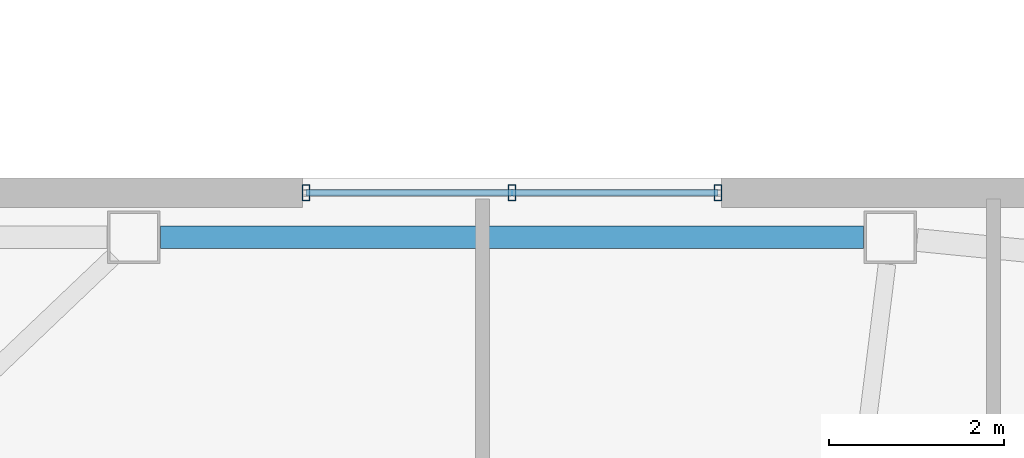
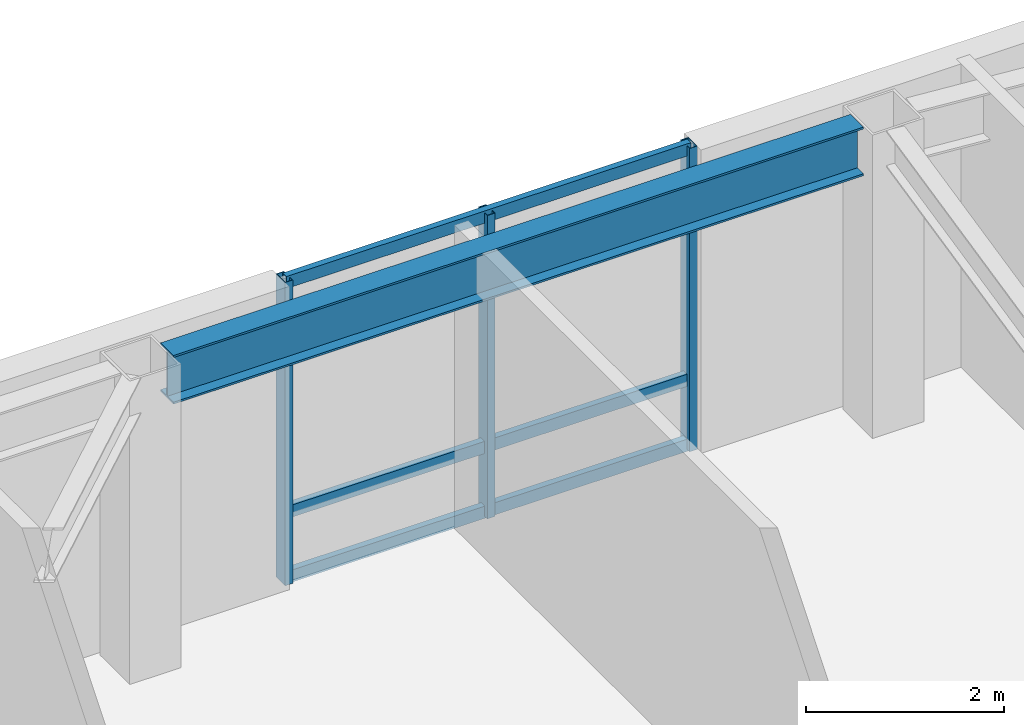
# One storey, part 6 of 19: 6 members, 1 beam, 1 element without a shape of its own.
"""IFC4 building model written with IfcOpenShell, lengths in metres."""

from ifc_helpers import new_model, si_unit, direction, frame, origin, origin_2d, place, context, subcontext, project, spatial, hollow_rectangle, i_section, extrude, material, layer, layer_set, material_profile, profile_set, type_object, element, aggregate, save


model = new_model("IFC4")

# Units and contexts
model_context = context("Model", 3, precision=1e-05, world=origin(), true_north=direction((0.0, 1.0)))
body_context = subcontext(model_context, "Body", "Model", "MODEL_VIEW")
ifc_project = project(units=[si_unit("LENGTHUNIT", "METRE"), si_unit("AREAUNIT", "SQUARE_METRE"), si_unit("VOLUMEUNIT", "CUBIC_METRE"), si_unit("PLANEANGLEUNIT", "RADIAN"), si_unit("MASSUNIT", "GRAM", prefix="KILO")], contexts=[model_context])

# Site, building, storey
site_placement = place(None, origin())
site = spatial("IfcSite", under=ifc_project, at=site_placement, CompositionType="ELEMENT")
building_placement = place(site_placement, origin())
building = spatial("IfcBuilding", under=site, at=building_placement, Name="Tavrogorsk Clinical Tower", CompositionType="ELEMENT")
storey_placement = place(building_placement, frame((0.0, 0.0, 188.199951171875)))
storey = spatial("IfcBuildingStorey", under=building, at=storey_placement, Name="L43", CompositionType="ELEMENT", Elevation=188.199951171875)

# Curtain wall, members
ifc_material_1 = material(Name="Anodised aluminium and triple IGU glazing", Category="aluminium")
ifc_layer = layer(ifc_material_1, 0.179931640625)
ifc_layer_set = layer_set([ifc_layer], Name="Anodised aluminium and triple IGU glazing")
curtain_wall_type = type_object("IfcCurtainWallType", Name="CW2_NorthSlot", PredefinedType="NOTDEFINED", material=ifc_layer_set)
curtain_wall_placement = place(storey_placement, origin())
curtain_wall = element("IfcCurtainWall", 1, at=curtain_wall_placement, inside=storey, type_object=curtain_wall_type, Name="L43 Curtain Wall CW-L43-N-SLOT-1", PredefinedType="NOTDEFINED")
ifc_material_2 = material(Name="Anodised aluminium alloy AW-6060", Category="aluminium")
ifc_material_profile_1 = material_profile(ifc_material_2, hollow_rectangle(XDim=0.090087890625, YDim=0.179931640625, WallThickness=0.00634765625, at=origin_2d()), Name="RHS-180x90x6.3")
ifc_profile_set_1 = profile_set([ifc_material_profile_1], Name="Anodised aluminium alloy AW-6060")
member_type_1 = type_object("IfcMemberType", Name="CwMullion_180x90", PredefinedType="MULLION", material=ifc_profile_set_1)
member_1_placement = place(storey_placement, frame((-3.90380859375, 26.929931640625, 0.0), z_axis=(0.0, 0.0, 1.0), x_axis=(-1.0, 0.0, 0.0)))
member_1 = element("IfcMember", 2, at=member_1_placement, type_object=member_type_1, Name="CW-L43-N-SLOT-1 Mullion 1", PredefinedType="MULLION", context=body_context, shape_type="SweptSolid", body=[
    extrude(hollow_rectangle(XDim=0.090087890625, YDim=0.179931640625, WallThickness=0.00634765625, at=origin_2d()), origin(), (0.0, 0.0, 1.0), 3.739990234375),
])
member_2_placement = place(storey_placement, frame((-6.262939453125, 26.929931640625, 0.0), z_axis=(0.0, 0.0, 1.0), x_axis=(-1.0, 0.0, 0.0)))
member_2 = element("IfcMember", 3, at=member_2_placement, type_object=member_type_1, Name="CW-L43-N-SLOT-1 Mullion 2", PredefinedType="MULLION", context=body_context, shape_type="SweptSolid", body=[
    extrude(hollow_rectangle(XDim=0.090087890625, YDim=0.179931640625, WallThickness=0.00634765625, at=origin_2d()), origin(), (0.0, 0.0, 1.0), 3.739990234375),
])
member_3_placement = place(storey_placement, frame((-8.621826171875, 26.929931640625, 0.0), z_axis=(0.0, 0.0, 1.0), x_axis=(-1.0, 0.0, 0.0)))
member_3 = element("IfcMember", 4, at=member_3_placement, type_object=member_type_1, Name="CW-L43-N-SLOT-1 Mullion 3", PredefinedType="MULLION", context=body_context, shape_type="SweptSolid", body=[
    extrude(hollow_rectangle(XDim=0.090087890625, YDim=0.179931640625, WallThickness=0.00634765625, at=origin_2d()), origin(), (0.0, 0.0, 1.0), 3.739990234375),
])
ifc_material_3 = material(Name="Anodised aluminium alloy AW-6060", Category="aluminium")
ifc_material_profile_2 = material_profile(ifc_material_3, hollow_rectangle(XDim=0.074951171875, YDim=0.14990234375, WallThickness=0.0048828125, at=origin_2d()), Name="RHS-150x75x5")
ifc_profile_set_2 = profile_set([ifc_material_profile_2], Name="Anodised aluminium alloy AW-6060")
member_type_2 = type_object("IfcMemberType", Name="CwTransom_150x75", PredefinedType="USERDEFINED", material=ifc_profile_set_2)
member_4_placement = place(storey_placement, frame((-3.90380859375, 26.929931640625, 0.050048828125), z_axis=(-1.0, 0.0, 0.0), x_axis=(0.0, -1.0, 0.0)))
member_4 = element("IfcMember", 5, at=member_4_placement, type_object=member_type_2, Name="CW-L43-N-SLOT-1 Transom 1", ObjectType="TRANSOM", PredefinedType="USERDEFINED", context=body_context, shape_type="SweptSolid", body=[
    extrude(hollow_rectangle(XDim=0.074951171875, YDim=0.14990234375, WallThickness=0.0048828125, at=origin_2d()), origin(), (0.0, 0.0, 1.0), 4.718017578125),
])
member_5_placement = place(storey_placement, frame((-3.90380859375, 26.929931640625, 0.85009765625), z_axis=(-1.0, 0.0, 0.0), x_axis=(0.0, -1.0, 0.0)))
member_5 = element("IfcMember", 6, at=member_5_placement, type_object=member_type_2, Name="CW-L43-N-SLOT-1 Transom 2", ObjectType="TRANSOM", PredefinedType="USERDEFINED", context=body_context, shape_type="SweptSolid", body=[
    extrude(hollow_rectangle(XDim=0.074951171875, YDim=0.14990234375, WallThickness=0.0048828125, at=origin_2d()), origin(), (0.0, 0.0, 1.0), 4.718017578125),
])
member_6_placement = place(storey_placement, frame((-3.90380859375, 26.929931640625, 3.68994140625), z_axis=(-1.0, 0.0, 0.0), x_axis=(0.0, -1.0, 0.0)))
member_6 = element("IfcMember", 7, at=member_6_placement, type_object=member_type_2, Name="CW-L43-N-SLOT-1 Transom 3", ObjectType="TRANSOM", PredefinedType="USERDEFINED", context=body_context, shape_type="SweptSolid", body=[
    extrude(hollow_rectangle(XDim=0.074951171875, YDim=0.14990234375, WallThickness=0.0048828125, at=origin_2d()), origin(), (0.0, 0.0, 1.0), 4.718017578125),
])
aggregate(curtain_wall, [member_1, member_2, member_3, member_4, member_5, member_6])

# Beam
ifc_material_4 = material(Name="Structural steel S390", Category="steel")
ifc_material_profile_3 = material_profile(ifc_material_4, i_section(OverallWidth=0.260009765625, OverallDepth=0.60009765625, WebThickness=0.014892578125, FlangeThickness=0.02392578125, at=origin_2d()), Name="B-600x260x15x24")
ifc_profile_set_3 = profile_set([ifc_material_profile_3], Name="Structural steel S390")
beam_type = type_object("IfcBeamType", Name="SpandrelBeam_B600", PredefinedType="SPANDREL", material=ifc_profile_set_3)
beam_placement = place(storey_placement, frame((-2.239501953125, 26.419921875, 3.43994140625), z_axis=(-1.0, 0.0, 0.0), x_axis=(0.0, -1.0, 0.0)))
element("IfcBeam", 8, at=beam_placement, inside=storey, type_object=beam_type, Name="L43 Perimeter Spandrel N5-N6", PredefinedType="SPANDREL", context=body_context, shape_type="SweptSolid", body=[
    extrude(i_section(OverallWidth=0.260009765625, OverallDepth=0.60009765625, WebThickness=0.014892578125, FlangeThickness=0.02392578125, at=origin_2d()), origin(), (0.0, 0.0, 1.0), 8.046875),
])

save(model, "model.ifc")
